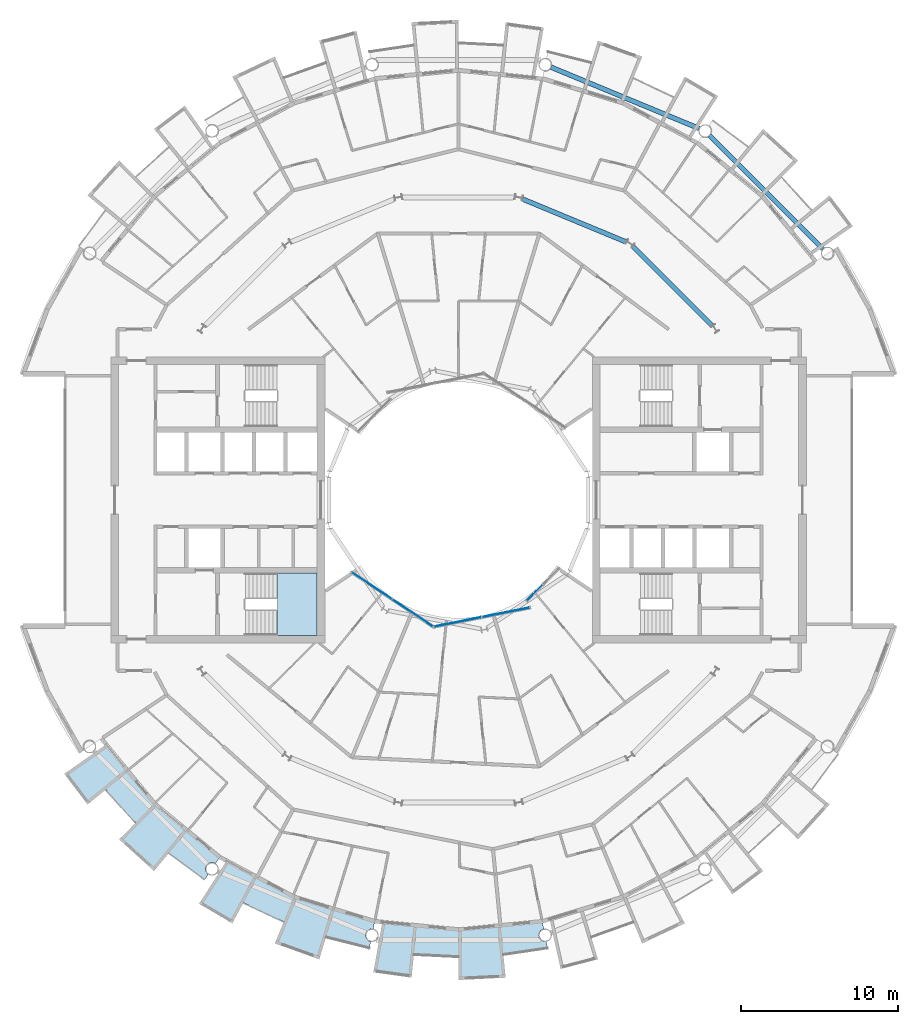
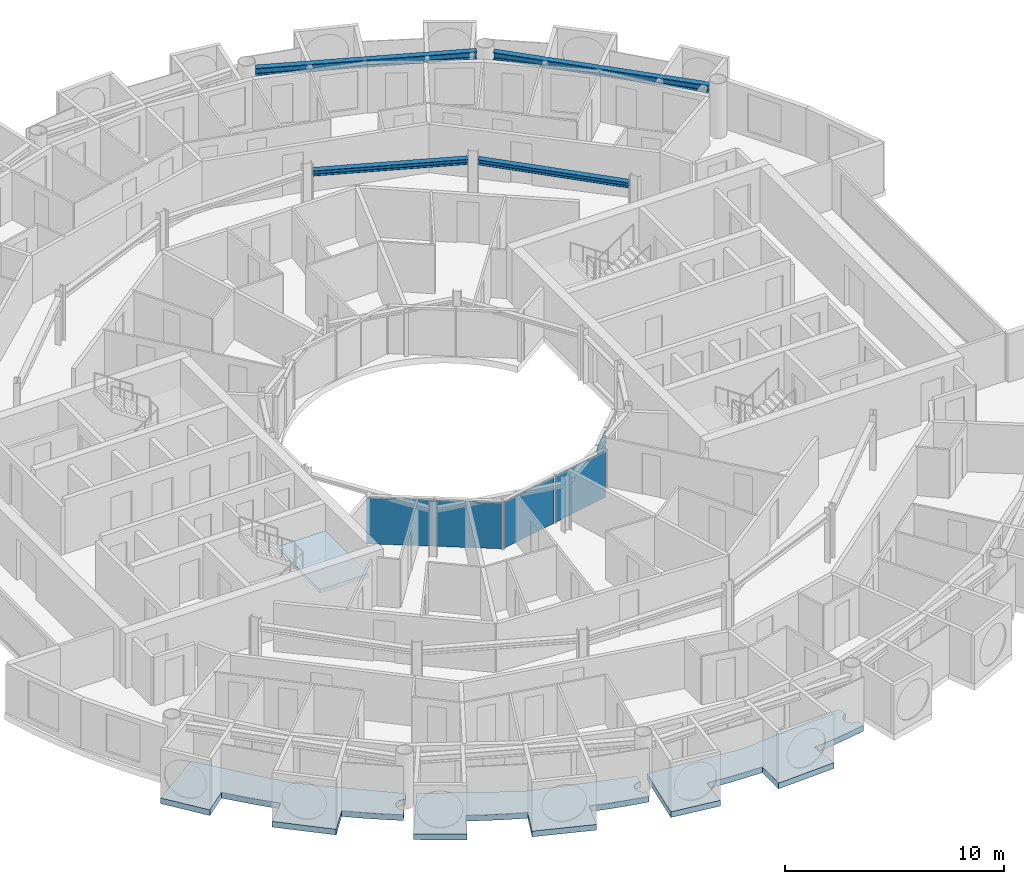
# One storey, part 10 of 27: 5 plates, 4 beams, 4 slabs, 4 elements without a shape of their own.
"""IFC4 building model written with IfcOpenShell, lengths in metres."""

from ifc_helpers import new_model, si_unit, direction, frame, origin, origin_2d, place, context, subcontext, project, spatial, polyline, rectangle, i_section, outline, extrude, material, layer, layer_set, material_profile, profile_set, type_object, element, aggregate, save


model = new_model("IFC4")

# Units and contexts
model_context = context("Model", 3, precision=1e-05, world=origin(), true_north=direction((0.0, 1.0)))
body_context = subcontext(model_context, "Body", "Model", "MODEL_VIEW")
ifc_project = project(units=[si_unit("LENGTHUNIT", "METRE"), si_unit("AREAUNIT", "SQUARE_METRE"), si_unit("VOLUMEUNIT", "CUBIC_METRE"), si_unit("PLANEANGLEUNIT", "RADIAN"), si_unit("MASSUNIT", "GRAM", prefix="KILO")], contexts=[model_context])

# Site, building, storey
site_placement = place(None, origin())
site = spatial("IfcSite", under=ifc_project, at=site_placement, CompositionType="ELEMENT")
building_placement = place(site_placement, origin())
building = spatial("IfcBuilding", under=site, at=building_placement, Name="Maasbend Ring Residences", CompositionType="ELEMENT")
storey_placement = place(building_placement, frame((0.0, 0.0, 151.300048828125)))
storey = spatial("IfcBuildingStorey", under=building, at=storey_placement, Name="L43", CompositionType="ELEMENT", Elevation=151.300048828125)

# Beams
ifc_material_1 = material(Name="Steel S355J2", Category="steel")
ifc_material_profile_1 = material_profile(ifc_material_1, i_section(OverallWidth=0.300048828125, OverallDepth=0.2900390625, WebThickness=0.008544921875, FlangeThickness=0.013916015625, FilletRadius=0.027099609375, at=origin_2d()), Name="HEA 300")
ifc_profile_set_1 = profile_set([ifc_material_profile_1], Name="Steel S355J2")
beam_type_1 = type_object("IfcBeamType", Name="Corridor ring beam HEA 300", PredefinedType="BEAM", material=ifc_profile_set_1)
for number, where, z_axis, x_axis, name in (
    (1, (16.11669921875, 11.0693359375, 2.554931640625), (-0.707106781187, 0.707106781187, 0.0), (-0.707106781187, -0.707106781187, 0.0), "Corridor ring beam"),
    (2, (10.65380859375, 16.394287109375, 2.554931640625), (-0.923871339849, 0.382703210602, 0.0), (-0.382703210602, -0.923871339849, 0.0), "Corridor ring beam"),
):
    element("IfcBeam", number, at=place(storey_placement, frame(where, z_axis=z_axis, x_axis=x_axis)), inside=storey, type_object=beam_type_1, Name=name, PredefinedType="BEAM", context=body_context, shape_type="SweptSolid", body=[
        extrude(i_section(OverallWidth=0.300048828125, OverallDepth=0.2900390625, WebThickness=0.008544921875, FlangeThickness=0.013916015625, FilletRadius=0.027099609375, at=origin_2d()), origin(), (0.0, 0.0, 1.0), 7.137939453125),
    ])
ifc_material_2 = material(Name="Steel S355J2", Category="steel")
ifc_material_profile_2 = material_profile(ifc_material_2, i_section(OverallWidth=0.300048828125, OverallDepth=0.39990234375, WebThickness=0.013427734375, FlangeThickness=0.02392578125, FilletRadius=0.027099609375, at=origin_2d()), Name="HEB 400")
ifc_profile_set_2 = profile_set([ifc_material_profile_2], Name="Steel S355J2")
beam_type_2 = type_object("IfcBeamType", Name="Spandrel ring beam HEB 400", PredefinedType="SPANDREL", material=ifc_profile_set_2)
for number, where, z_axis, x_axis, name in (
    (3, (23.159912109375, 15.95458984375, 2.5), (-0.707106781187, 0.707106781187, 0.0), (-0.707106781187, -0.707106781187, 0.0), "Spandrel ring beam"),
    (4, (15.29150390625, 23.60302734375, 2.5), (-0.923883676188, 0.382673428492, 0.0), (-0.382673428492, -0.923883676188, 0.0), "Spandrel ring beam"),
):
    element("IfcBeam", number, at=place(storey_placement, frame(where, z_axis=z_axis, x_axis=x_axis)), inside=storey, type_object=beam_type_2, Name=name, PredefinedType="SPANDREL", context=body_context, shape_type="SweptSolid", body=[
        extrude(i_section(OverallWidth=0.300048828125, OverallDepth=0.39990234375, WebThickness=0.013427734375, FlangeThickness=0.02392578125, FilletRadius=0.027099609375, at=origin_2d()), origin(), (0.0, 0.0, 1.0), 10.18994140625),
    ])

# Stair, slab
ifc_material_3 = material(Name="Concrete C40/50", Category="concrete")
stair_type = type_object("IfcStairType", Name="CORE STAIR 18 RISERS", PredefinedType="HALF_TURN_STAIR", material=ifc_material_3)
stair_placement = place(storey_placement, origin())
stair = element("IfcStair", 5, at=stair_placement, inside=storey, type_object=stair_type, Name="L43 Exit stair ST-W1", PredefinedType="HALF_TURN_STAIR")
ifc_material_4 = material(Name="Concrete C40/50", Category="concrete")
ifc_layer_1 = layer(ifc_material_4, 0.199951171875)
ifc_layer_set_1 = layer_set([ifc_layer_1], Name="Concrete C40/50")
slab_type_1 = type_object("IfcSlabType", Name="CORE STAIR LANDING 200", PredefinedType="LANDING", material=ifc_layer_set_1)
slab_1_placement = place(storey_placement, frame((0.0, 0.0, 1.324951171875)))
slab_1 = element("IfcSlab", 6, at=slab_1_placement, type_object=slab_type_1, Name="ST-W1 landing 1", PredefinedType="LANDING", context=body_context, shape_type="SweptSolid", body=[
    extrude(outline(polyline([(-11.550048828125, -8.60009765625), (-9.0, -8.60009765625), (-9.0, -4.64990234375), (-11.550048828125, -4.64990234375), (-11.550048828125, -8.60009765625)])), origin(), (0.0, 0.0, 1.0), 0.199951171875),
])
aggregate(stair, [slab_1])

# Curtain wall, plates
ifc_material_5 = material(Name="Aluminium and clear glass", Category="aluminium")
ifc_layer_2 = layer(ifc_material_5, 0.179931640625)
ifc_layer_set_2 = layer_set([ifc_layer_2], Name="CW-W")
curtain_wall_type = type_object("IfcCurtainWallType", Name="CW-W", PredefinedType="NOTDEFINED", material=ifc_layer_set_2)
curtain_wall_1_placement = place(storey_placement, origin())
curtain_wall_1 = element("IfcCurtainWall", 7, at=curtain_wall_1_placement, inside=storey, type_object=curtain_wall_type, Name="Well curtain wall S1", PredefinedType="NOTDEFINED")
ifc_material_6 = material(Name="Glass clear laminated", Category="glass")
ifc_layer_3 = layer(ifc_material_6, 0.031982421875)
ifc_layer_set_3 = layer_set([ifc_layer_3], Name="CWP-W")
plate_type = type_object("IfcPlateType", Name="CWP-W", PredefinedType="CURTAIN_PANEL", material=ifc_layer_set_3)
plate_1_placement = place(storey_placement, frame((-5.51123046875, -5.44580078125, 0.0), z_axis=(0.0, 0.0, 1.0), x_axis=(0.831469612303, -0.55557023302, 0.0)))
plate_1 = element("IfcPlate", 8, at=plate_1_placement, type_object=plate_type, Name="Glass panel well face", PredefinedType="CURTAIN_PANEL", context=body_context, shape_type="SweptSolid", body=[
    extrude(rectangle(XDim=3.053955078125, YDim=0.031982421875, at=origin_2d()), origin(), (0.0, 0.0, 1.0), 2.580078125),
])
plate_2_placement = place(storey_placement, frame((-2.922119140625, -7.17578125, 0.0), z_axis=(0.0, 0.0, 1.0), x_axis=(0.831469612303, -0.55557023302, 0.0)))
plate_2 = element("IfcPlate", 9, at=plate_2_placement, type_object=plate_type, Name="Glass panel well face", PredefinedType="CURTAIN_PANEL", context=body_context, shape_type="SweptSolid", body=[
    extrude(rectangle(XDim=3.053955078125, YDim=0.031982421875, at=origin_2d()), origin(), (0.0, 0.0, 1.0), 2.580078125),
])
aggregate(curtain_wall_1, [plate_1, plate_2])

curtain_wall_2_placement = place(storey_placement, origin())
curtain_wall_2 = element("IfcCurtainWall", 10, at=curtain_wall_2_placement, inside=storey, type_object=curtain_wall_type, Name="Well curtain wall S2", PredefinedType="NOTDEFINED")
plate_3_placement = place(storey_placement, frame((-0.04638671875, -7.747802734375, 0.0), z_axis=(0.0, 0.0, 1.0), x_axis=(0.980785280403, 0.195090322016, 0.0)))
plate_3 = element("IfcPlate", 11, at=plate_3_placement, type_object=plate_type, Name="Glass panel well face", PredefinedType="CURTAIN_PANEL", context=body_context, shape_type="SweptSolid", body=[
    extrude(rectangle(XDim=3.053955078125, YDim=0.031982421875, at=origin_2d()), origin(), (0.0, 0.0, 1.0), 2.580078125),
])
plate_4_placement = place(storey_placement, frame((3.0078125, -7.140380859375, 0.0), z_axis=(0.0, 0.0, 1.0), x_axis=(0.980785280403, 0.195090322016, 0.0)))
plate_4 = element("IfcPlate", 12, at=plate_4_placement, type_object=plate_type, Name="Glass panel well face", PredefinedType="CURTAIN_PANEL", context=body_context, shape_type="SweptSolid", body=[
    extrude(rectangle(XDim=3.053955078125, YDim=0.031982421875, at=origin_2d()), origin(), (0.0, 0.0, 1.0), 2.580078125),
])
aggregate(curtain_wall_2, [plate_3, plate_4])

# Curtain wall, plate
curtain_wall_3_placement = place(storey_placement, origin())
curtain_wall_3 = element("IfcCurtainWall", 13, at=curtain_wall_3_placement, inside=storey, type_object=curtain_wall_type, Name="Well curtain wall S3", PredefinedType="NOTDEFINED")
plate_5_placement = place(storey_placement, frame((4.84375, -5.89013671875, 0.0), z_axis=(0.0, 0.0, 1.0), x_axis=(0.707106781187, 0.707106781187, 0.0)))
plate_5 = element("IfcPlate", 14, at=plate_5_placement, type_object=plate_type, Name="Glass panel well face", PredefinedType="CURTAIN_PANEL", context=body_context, shape_type="SweptSolid", body=[
    extrude(rectangle(XDim=1.419677734375, YDim=0.031982421875, at=origin_2d()), origin(), (0.0, 0.0, 1.0), 2.580078125),
])
aggregate(curtain_wall_3, [plate_5])

# Slabs
ifc_material_7 = material(Name="Concrete C40/50", Category="concrete")
ifc_layer_4 = layer(ifc_material_7, 0.199951171875)
ifc_layer_set_4 = layer_set([ifc_layer_4], Name="Concrete C40/50")
slab_type_2 = type_object("IfcSlabType", Name="SL-LOGGIA", PredefinedType="FLOOR", material=ifc_layer_set_4)
slab_2_placement = place(storey_placement, frame((0.0, 0.0, -0.35009765625)))
element("IfcSlab", 15, at=slab_2_placement, inside=storey, type_object=slab_type_2, Name="Loggia floor 2", PredefinedType="FLOOR", context=body_context, shape_type="SweptSolid", body=[
    extrude(outline(polyline([(-12.806884765625, -23.9609375), (-10.447021484375, -25.221923828125), (-10.447021484375, -25.221923828125), (-10.447021484375, -25.221923828125), (-7.886962890625, -25.9990234375), (-5.325927734375, -26.77490234375), (-5.325927734375, -26.77490234375), (-5.325927734375, -26.77490234375), (-5.422119140625, -27.259033203125), (-5.431884765625, -27.258056640625), (-5.44189453125, -27.256103515625), (-5.451904296875, -27.2548828125), (-5.4619140625, -27.25390625), (-5.471923828125, -27.2529296875), (-5.48193359375, -27.251953125), (-5.491943359375, -27.251953125), (-5.501953125, -27.251953125), (-5.510986328125, -27.251953125), (-5.52099609375, -27.251953125), (-5.531005859375, -27.2529296875), (-5.541015625, -27.25390625), (-5.551025390625, -27.2548828125), (-5.56103515625, -27.256103515625), (-5.571044921875, -27.258056640625), (-5.5810546875, -27.259033203125), (-5.591064453125, -27.260986328125), (-5.60009765625, -27.263916015625), (-5.610107421875, -27.26611328125), (-5.6201171875, -27.26904296875), (-5.62890625, -27.27197265625), (-5.637939453125, -27.27490234375), (-5.64794921875, -27.279052734375), (-5.656982421875, -27.282958984375), (-5.666015625, -27.285888671875), (-5.675048828125, -27.291015625), (-5.68408203125, -27.294921875), (-5.693115234375, -27.300048828125), (-5.701904296875, -27.303955078125), (-5.7099609375, -27.30908203125), (-5.718994140625, -27.31494140625), (-5.72705078125, -27.320068359375), (-5.736083984375, -27.325927734375), (-5.743896484375, -27.33203125), (-5.751953125, -27.337890625), (-5.759033203125, -27.343994140625), (-5.76708984375, -27.35009765625), (-5.77392578125, -27.35693359375), (-5.781982421875, -27.364013671875), (-5.7890625, -27.37109375), (-5.7958984375, -27.3779296875), (-5.802978515625, -27.385009765625), (-5.80908203125, -27.39306640625), (-5.81591796875, -27.39990234375), (-5.822021484375, -27.407958984375), (-5.827880859375, -27.416015625), (-5.833984375, -27.424072265625), (-5.839111328125, -27.431884765625), (-5.844970703125, -27.44091796875), (-5.85009765625, -27.448974609375), (-5.85498046875, -27.4580078125), (-5.860107421875, -27.466064453125), (-5.864990234375, -27.47509765625), (-5.868896484375, -27.48388671875), (-5.873046875, -27.492919921875), (-5.876953125, -27.5029296875), (-5.881103515625, -27.511962890625), (-5.884033203125, -27.52099609375), (-5.886962890625, -27.531005859375), (-5.889892578125, -27.5400390625), (-5.89306640625, -27.550048828125), (-5.89599609375, -27.55908203125), (-5.89794921875, -27.569091796875), (-5.89990234375, -27.5791015625), (-5.902099609375, -27.589111328125), (-5.904052734375, -27.597900390625), (-5.905029296875, -27.60791015625), (-5.906005859375, -27.617919921875), (-5.906982421875, -27.6279296875), (-5.907958984375, -27.637939453125), (-5.907958984375, -27.64794921875), (-5.907958984375, -27.657958984375), (-5.907958984375, -27.66796875), (-5.907958984375, -27.677978515625), (-5.906982421875, -27.68798828125), (-5.906005859375, -27.697998046875), (-5.905029296875, -27.7080078125), (-5.904052734375, -27.718017578125), (-5.902099609375, -27.72802734375), (-5.89990234375, -27.737060546875), (-5.89794921875, -27.7470703125), (-5.89599609375, -27.757080078125), (-5.89306640625, -27.76708984375), (-5.889892578125, -27.77587890625), (-5.886962890625, -27.785888671875), (-5.884033203125, -27.794921875), (-5.881103515625, -27.803955078125), (-5.876953125, -27.81396484375), (-5.873046875, -27.822998046875), (-5.868896484375, -27.83203125), (-5.864990234375, -27.841064453125), (-5.860107421875, -27.85009765625), (-5.85498046875, -27.85791015625), (-5.85009765625, -27.866943359375), (-5.844970703125, -27.8759765625), (-5.839111328125, -27.884033203125), (-5.833984375, -27.89208984375), (-5.827880859375, -27.89990234375), (-5.822021484375, -27.907958984375), (-5.81591796875, -27.916015625), (-5.80908203125, -27.924072265625), (-5.802978515625, -27.930908203125), (-5.7958984375, -27.93798828125), (-5.7890625, -27.946044921875), (-5.781982421875, -27.952880859375), (-5.77392578125, -27.958984375), (-5.76708984375, -27.966064453125), (-5.759033203125, -27.971923828125), (-5.751953125, -27.97900390625), (-5.743896484375, -27.985107421875), (-5.736083984375, -27.989990234375), (-5.72705078125, -27.99609375), (-5.718994140625, -28.001953125), (-5.7099609375, -28.007080078125), (-5.701904296875, -28.011962890625), (-5.693115234375, -28.01708984375), (-5.68408203125, -28.02099609375), (-5.675048828125, -28.02587890625), (-5.666015625, -28.030029296875), (-5.656982421875, -28.033935546875), (-5.64794921875, -28.037109375), (-5.637939453125, -28.041015625), (-5.62890625, -28.0439453125), (-5.6201171875, -28.047119140625), (-5.610107421875, -28.050048828125), (-5.60009765625, -28.052001953125), (-5.591064453125, -28.054931640625), (-5.5810546875, -28.056884765625), (-5.657958984375, -28.443115234375), (-5.657958984375, -28.443115234375), (-5.657958984375, -28.443115234375), (-6.5849609375, -28.241943359375), (-6.5849609375, -28.241943359375), (-7.506103515625, -28.011962890625), (-7.506103515625, -28.011962890625), (-8.41796875, -27.7509765625), (-8.41796875, -27.7509765625), (-8.41796875, -27.7509765625), (-8.41796875, -27.7509765625), (-8.41796875, -27.7509765625), (-8.41796875, -27.7509765625), (-8.41796875, -27.7509765625), (-8.41796875, -27.7509765625), (-8.41796875, -27.7509765625), (-8.41796875, -27.7509765625), (-8.41796875, -27.751953125), (-8.41796875, -27.751953125), (-8.41796875, -27.751953125), (-8.41796875, -27.751953125), (-8.41796875, -27.751953125), (-8.41796875, -27.751953125), (-8.41796875, -27.751953125), (-8.85400390625, -29.18701171875), (-8.85400390625, -29.18701171875), (-8.85400390625, -29.18701171875), (-11.672119140625, -28.177978515625), (-11.672119140625, -28.177978515625), (-11.672119140625, -28.177978515625), (-11.097900390625, -26.79296875), (-11.097900390625, -26.79296875), (-11.097900390625, -26.79296875), (-11.097900390625, -26.79296875), (-11.097900390625, -26.79296875), (-11.097900390625, -26.79296875), (-11.097900390625, -26.79296875), (-11.097900390625, -26.79296875), (-11.097900390625, -26.79296875), (-11.097900390625, -26.79296875), (-11.097900390625, -26.7919921875), (-11.097900390625, -26.7919921875), (-11.097900390625, -26.7919921875), (-11.097900390625, -26.7919921875), (-11.097900390625, -26.7919921875), (-11.097900390625, -26.7919921875), (-11.097900390625, -26.7919921875), (-11.968994140625, -26.4150390625), (-11.968994140625, -26.4150390625), (-12.825927734375, -26.009033203125), (-12.825927734375, -26.009033203125), (-13.669921875, -25.575927734375), (-13.669921875, -25.575927734375), (-13.669921875, -25.575927734375), (-13.669921875, -25.575927734375), (-13.669921875, -25.575927734375), (-13.669921875, -25.575927734375), (-13.669921875, -25.575927734375), (-13.669921875, -25.575927734375), (-13.669921875, -25.575927734375), (-13.669921875, -25.575927734375), (-13.6708984375, -25.575927734375), (-13.6708984375, -25.575927734375), (-13.6708984375, -25.575927734375), (-13.6708984375, -25.575927734375), (-13.6708984375, -25.575927734375), (-13.6708984375, -25.575927734375), (-13.6708984375, -25.575927734375), (-14.3779296875, -26.89892578125), (-14.3779296875, -26.89892578125), (-14.3779296875, -26.89892578125), (-16.487060546875, -25.659912109375), (-16.487060546875, -25.659912109375), (-16.487060546875, -25.659912109375), (-14.73291015625, -22.930908203125), (-14.73291015625, -22.930908203125), (-14.73291015625, -22.930908203125), (-12.806884765625, -23.9609375)])), origin(), (0.0, 0.0, 1.0), 0.320068359375),
])
slab_3_placement = place(storey_placement, frame((0.0, 0.0, -0.35009765625)))
element("IfcSlab", 16, at=slab_3_placement, inside=storey, type_object=slab_type_2, Name="Loggia floor 3", PredefinedType="FLOOR", context=body_context, shape_type="SweptSolid", body=[
    extrude(outline(polyline([(-2.6630859375, -27.0380859375), (0.0, -27.300048828125), (0.0, -27.300048828125), (0.0, -27.300048828125), (2.6630859375, -27.0380859375), (5.325927734375, -26.77490234375), (5.325927734375, -26.77490234375), (5.325927734375, -26.77490234375), (5.422119140625, -27.259033203125), (5.422119140625, -27.259033203125), (5.412109375, -27.260986328125), (5.403076171875, -27.263916015625), (5.39306640625, -27.26611328125), (5.383056640625, -27.26904296875), (5.3740234375, -27.27197265625), (5.364990234375, -27.27490234375), (5.35498046875, -27.279052734375), (5.345947265625, -27.282958984375), (5.3369140625, -27.285888671875), (5.327880859375, -27.291015625), (5.319091796875, -27.294921875), (5.31005859375, -27.300048828125), (5.301025390625, -27.303955078125), (5.29296875, -27.30908203125), (5.283935546875, -27.31494140625), (5.27587890625, -27.320068359375), (5.26708984375, -27.325927734375), (5.259033203125, -27.33203125), (5.2509765625, -27.337890625), (5.243896484375, -27.343994140625), (5.236083984375, -27.35009765625), (5.22900390625, -27.35693359375), (5.220947265625, -27.364013671875), (5.214111328125, -27.37109375), (5.20703125, -27.3779296875), (5.199951171875, -27.385009765625), (5.194091796875, -27.39306640625), (5.18701171875, -27.39990234375), (5.180908203125, -27.407958984375), (5.175048828125, -27.416015625), (5.1689453125, -27.424072265625), (5.1640625, -27.431884765625), (5.157958984375, -27.44091796875), (5.153076171875, -27.448974609375), (5.14794921875, -27.4580078125), (5.14306640625, -27.466064453125), (5.137939453125, -27.47509765625), (5.134033203125, -27.48388671875), (5.1298828125, -27.492919921875), (5.1259765625, -27.5029296875), (5.1220703125, -27.511962890625), (5.118896484375, -27.52099609375), (5.115966796875, -27.531005859375), (5.113037109375, -27.5400390625), (5.110107421875, -27.550048828125), (5.10693359375, -27.55908203125), (5.10498046875, -27.569091796875), (5.10302734375, -27.5791015625), (5.10107421875, -27.589111328125), (5.09912109375, -27.597900390625), (5.097900390625, -27.60791015625), (5.096923828125, -27.617919921875), (5.095947265625, -27.6279296875), (5.094970703125, -27.637939453125), (5.094970703125, -27.64794921875), (5.094970703125, -27.657958984375), (5.094970703125, -27.66796875), (5.094970703125, -27.677978515625), (5.095947265625, -27.68798828125), (5.096923828125, -27.697998046875), (5.097900390625, -27.7080078125), (5.09912109375, -27.718017578125), (5.10107421875, -27.72802734375), (5.10302734375, -27.737060546875), (5.10498046875, -27.7470703125), (5.10693359375, -27.757080078125), (5.110107421875, -27.76708984375), (5.113037109375, -27.77587890625), (5.115966796875, -27.785888671875), (5.118896484375, -27.794921875), (5.1220703125, -27.803955078125), (5.1259765625, -27.81396484375), (5.1298828125, -27.822998046875), (5.134033203125, -27.83203125), (5.137939453125, -27.841064453125), (5.14306640625, -27.85009765625), (5.14794921875, -27.85791015625), (5.153076171875, -27.866943359375), (5.157958984375, -27.8759765625), (5.1640625, -27.884033203125), (5.1689453125, -27.89208984375), (5.175048828125, -27.89990234375), (5.180908203125, -27.907958984375), (5.18701171875, -27.916015625), (5.194091796875, -27.924072265625), (5.199951171875, -27.930908203125), (5.20703125, -27.93798828125), (5.214111328125, -27.946044921875), (5.220947265625, -27.952880859375), (5.22900390625, -27.958984375), (5.236083984375, -27.966064453125), (5.243896484375, -27.971923828125), (5.2509765625, -27.97900390625), (5.259033203125, -27.985107421875), (5.26708984375, -27.989990234375), (5.27587890625, -27.99609375), (5.283935546875, -28.001953125), (5.29296875, -28.007080078125), (5.301025390625, -28.011962890625), (5.31005859375, -28.01708984375), (5.319091796875, -28.02099609375), (5.327880859375, -28.02587890625), (5.3369140625, -28.030029296875), (5.345947265625, -28.033935546875), (5.35498046875, -28.037109375), (5.364990234375, -28.041015625), (5.3740234375, -28.0439453125), (5.383056640625, -28.047119140625), (5.39306640625, -28.050048828125), (5.403076171875, -28.052001953125), (5.412109375, -28.054931640625), (5.422119140625, -28.056884765625), (5.431884765625, -28.05908203125), (5.44189453125, -28.06005859375), (5.451904296875, -28.06201171875), (5.4619140625, -28.06298828125), (5.471923828125, -28.06298828125), (5.48193359375, -28.06396484375), (5.491943359375, -28.06396484375), (5.501953125, -28.06494140625), (5.510986328125, -28.06396484375), (5.52099609375, -28.06396484375), (5.531005859375, -28.06298828125), (5.541015625, -28.06298828125), (5.551025390625, -28.06201171875), (5.56103515625, -28.06005859375), (5.571044921875, -28.05908203125), (5.5810546875, -28.056884765625), (5.5810546875, -28.056884765625), (5.657958984375, -28.443115234375), (5.657958984375, -28.443115234375), (5.657958984375, -28.443115234375), (4.72412109375, -28.613037109375), (4.72412109375, -28.613037109375), (3.784912109375, -28.751953125), (3.784912109375, -28.751953125), (2.843017578125, -28.860107421875), (2.843017578125, -28.860107421875), (2.843017578125, -28.860107421875), (2.843017578125, -28.860107421875), (2.843017578125, -28.860107421875), (2.843017578125, -28.860107421875), (2.843017578125, -28.860107421875), (2.843017578125, -28.860107421875), (2.843017578125, -28.860107421875), (2.843017578125, -28.861083984375), (2.843017578125, -28.861083984375), (2.843017578125, -28.861083984375), (2.843017578125, -28.861083984375), (2.843017578125, -28.861083984375), (2.843017578125, -28.861083984375), (2.843017578125, -28.861083984375), (2.843017578125, -28.861083984375), (2.989990234375, -30.35302734375), (2.989990234375, -30.35302734375), (2.989990234375, -30.35302734375), (0.0, -30.5), (0.0, -30.5), (0.0, -30.5), (0.0, -29.0), (0.0, -29.0), (0.0, -29.0), (0.0, -29.0), (0.0, -29.0), (0.0, -29.0), (0.0, -29.0), (0.0, -29.0), (0.0, -29.0), (0.0, -29.0), (0.0, -29.0), (0.0, -29.0), (0.0, -29.0), (0.0, -29.0), (0.0, -29.0), (0.0, -29.0), (0.0, -29.0), (-0.948974609375, -28.98388671875), (-0.948974609375, -28.98388671875), (-1.89697265625, -28.93798828125), (-1.89697265625, -28.93798828125), (-2.842041015625, -28.860107421875), (-2.842041015625, -28.860107421875), (-2.842041015625, -28.860107421875), (-2.842041015625, -28.860107421875), (-2.842041015625, -28.860107421875), (-2.842041015625, -28.860107421875), (-2.842041015625, -28.860107421875), (-2.842041015625, -28.860107421875), (-2.842041015625, -28.861083984375), (-2.842041015625, -28.861083984375), (-2.842041015625, -28.861083984375), (-2.842041015625, -28.861083984375), (-2.842041015625, -28.861083984375), (-2.843017578125, -28.861083984375), (-2.843017578125, -28.861083984375), (-2.843017578125, -28.861083984375), (-2.843017578125, -28.861083984375), (-2.989990234375, -30.35302734375), (-2.989990234375, -30.35302734375), (-2.989990234375, -30.35302734375), (-5.412109375, -30.01611328125), (-5.412109375, -30.01611328125), (-5.412109375, -30.01611328125), (-4.8359375, -26.823974609375), (-4.8359375, -26.823974609375), (-4.8359375, -26.823974609375), (-2.6630859375, -27.0380859375)])), origin(), (0.0, 0.0, 1.0), 0.320068359375),
])
slab_4_placement = place(storey_placement, frame((0.0, 0.0, -0.35009765625)))
element("IfcSlab", 17, at=slab_4_placement, inside=storey, type_object=slab_type_2, Name="Loggia floor 5", PredefinedType="FLOOR", context=body_context, shape_type="SweptSolid", body=[
    extrude(outline(polyline([(-21.001953125, -17.236083984375), (-19.303955078125, -19.303955078125), (-19.303955078125, -19.303955078125), (-19.303955078125, -19.303955078125), (-17.236083984375, -21.001953125), (-15.1669921875, -22.698974609375), (-15.1669921875, -22.698974609375), (-15.1669921875, -22.698974609375), (-15.44091796875, -23.10888671875), (-15.44091796875, -23.10888671875), (-15.449951171875, -23.10400390625), (-15.4580078125, -23.09912109375), (-15.467041015625, -23.093994140625), (-15.47509765625, -23.089111328125), (-15.48388671875, -23.083984375), (-15.492919921875, -23.080078125), (-15.501953125, -23.075927734375), (-15.511962890625, -23.072021484375), (-15.52099609375, -23.068115234375), (-15.530029296875, -23.06494140625), (-15.5400390625, -23.06103515625), (-15.549072265625, -23.05810546875), (-15.55908203125, -23.055908203125), (-15.568115234375, -23.052978515625), (-15.577880859375, -23.051025390625), (-15.587890625, -23.049072265625), (-15.597900390625, -23.047119140625), (-15.60693359375, -23.044921875), (-15.616943359375, -23.0439453125), (-15.626953125, -23.04296875), (-15.636962890625, -23.0419921875), (-15.64697265625, -23.041015625), (-15.656982421875, -23.041015625), (-15.6669921875, -23.041015625), (-15.677001953125, -23.041015625), (-15.68701171875, -23.041015625), (-15.697021484375, -23.0419921875), (-15.70703125, -23.04296875), (-15.717041015625, -23.0439453125), (-15.72705078125, -23.044921875), (-15.737060546875, -23.047119140625), (-15.74609375, -23.049072265625), (-15.756103515625, -23.051025390625), (-15.76611328125, -23.052978515625), (-15.77587890625, -23.055908203125), (-15.784912109375, -23.05810546875), (-15.794921875, -23.06103515625), (-15.803955078125, -23.06494140625), (-15.81298828125, -23.068115234375), (-15.822998046875, -23.072021484375), (-15.83203125, -23.075927734375), (-15.841064453125, -23.080078125), (-15.85009765625, -23.083984375), (-15.85888671875, -23.089111328125), (-15.866943359375, -23.093994140625), (-15.8759765625, -23.09912109375), (-15.885009765625, -23.10400390625), (-15.89306640625, -23.10888671875), (-15.90087890625, -23.114990234375), (-15.908935546875, -23.12109375), (-15.9169921875, -23.126953125), (-15.925048828125, -23.133056640625), (-15.93310546875, -23.139892578125), (-15.93994140625, -23.14599609375), (-15.947021484375, -23.153076171875), (-15.955078125, -23.159912109375), (-15.9619140625, -23.1669921875), (-15.968017578125, -23.174072265625), (-15.97509765625, -23.181884765625), (-15.98095703125, -23.18994140625), (-15.988037109375, -23.197021484375), (-15.993896484375, -23.205078125), (-15.9990234375, -23.212890625), (-16.0048828125, -23.221923828125), (-16.010986328125, -23.22998046875), (-16.01611328125, -23.238037109375), (-16.02099609375, -23.2470703125), (-16.02587890625, -23.256103515625), (-16.030029296875, -23.264892578125), (-16.034912109375, -23.27392578125), (-16.0390625, -23.282958984375), (-16.04296875, -23.2919921875), (-16.0458984375, -23.301025390625), (-16.050048828125, -23.31005859375), (-16.052978515625, -23.320068359375), (-16.055908203125, -23.3291015625), (-16.05908203125, -23.339111328125), (-16.06103515625, -23.34912109375), (-16.06396484375, -23.35791015625), (-16.06591796875, -23.367919921875), (-16.068115234375, -23.3779296875), (-16.069091796875, -23.387939453125), (-16.071044921875, -23.39794921875), (-16.072021484375, -23.407958984375), (-16.072021484375, -23.4169921875), (-16.072998046875, -23.427001953125), (-16.072998046875, -23.43701171875), (-16.073974609375, -23.447021484375), (-16.072998046875, -23.45703125), (-16.072998046875, -23.467041015625), (-16.072021484375, -23.47705078125), (-16.072021484375, -23.487060546875), (-16.071044921875, -23.4970703125), (-16.069091796875, -23.507080078125), (-16.068115234375, -23.51708984375), (-16.06591796875, -23.527099609375), (-16.06396484375, -23.535888671875), (-16.06103515625, -23.5458984375), (-16.05908203125, -23.555908203125), (-16.055908203125, -23.56494140625), (-16.052978515625, -23.574951171875), (-16.050048828125, -23.583984375), (-16.0458984375, -23.593994140625), (-16.04296875, -23.60302734375), (-16.0390625, -23.612060546875), (-16.034912109375, -23.62109375), (-16.030029296875, -23.6298828125), (-16.02587890625, -23.638916015625), (-16.02099609375, -23.64794921875), (-16.01611328125, -23.656005859375), (-16.010986328125, -23.6650390625), (-16.0048828125, -23.673095703125), (-15.9990234375, -23.680908203125), (-15.993896484375, -23.68994140625), (-15.988037109375, -23.697021484375), (-15.98095703125, -23.705078125), (-15.97509765625, -23.712890625), (-15.968017578125, -23.719970703125), (-15.9619140625, -23.72802734375), (-15.955078125, -23.735107421875), (-15.947021484375, -23.741943359375), (-15.93994140625, -23.7490234375), (-15.93310546875, -23.7548828125), (-15.925048828125, -23.761962890625), (-15.9169921875, -23.76806640625), (-15.908935546875, -23.77392578125), (-15.90087890625, -23.780029296875), (-15.89306640625, -23.784912109375), (-15.89306640625, -23.784912109375), (-16.112060546875, -24.113037109375), (-16.112060546875, -24.113037109375), (-16.112060546875, -24.113037109375), (-16.89208984375, -23.572998046875), (-16.89208984375, -23.572998046875), (-17.654052734375, -23.007080078125), (-17.654052734375, -23.007080078125), (-18.39697265625, -22.41796875), (-18.39697265625, -22.41796875), (-18.39697265625, -22.41796875), (-18.39697265625, -22.41796875), (-18.39697265625, -22.41796875), (-18.39697265625, -22.41796875), (-18.39697265625, -22.41796875), (-18.39697265625, -22.41796875), (-18.39697265625, -22.41796875), (-18.39697265625, -22.41796875), (-18.39697265625, -22.41796875), (-18.39794921875, -22.41796875), (-18.39794921875, -22.41796875), (-18.39794921875, -22.41796875), (-18.39794921875, -22.41796875), (-18.39794921875, -22.41796875), (-18.39794921875, -22.41796875), (-19.34912109375, -23.576904296875), (-19.34912109375, -23.576904296875), (-19.34912109375, -23.576904296875), (-21.56689453125, -21.56689453125), (-21.56689453125, -21.56689453125), (-21.56689453125, -21.56689453125), (-20.506103515625, -20.506103515625), (-20.506103515625, -20.506103515625), (-20.506103515625, -20.506103515625), (-20.506103515625, -20.506103515625), (-20.506103515625, -20.506103515625), (-20.506103515625, -20.506103515625), (-20.506103515625, -20.506103515625), (-20.506103515625, -20.506103515625), (-20.506103515625, -20.506103515625), (-20.506103515625, -20.506103515625), (-20.506103515625, -20.506103515625), (-20.506103515625, -20.506103515625), (-20.506103515625, -20.506103515625), (-20.506103515625, -20.506103515625), (-20.506103515625, -20.506103515625), (-20.506103515625, -20.506103515625), (-20.506103515625, -20.506103515625), (-21.166015625, -19.823974609375), (-21.166015625, -19.823974609375), (-21.802978515625, -19.12109375), (-21.802978515625, -19.12109375), (-22.4169921875, -18.39794921875), (-22.4169921875, -18.39794921875), (-22.4169921875, -18.39794921875), (-22.4169921875, -18.39794921875), (-22.4169921875, -18.39794921875), (-22.4169921875, -18.39794921875), (-22.4169921875, -18.39794921875), (-22.4169921875, -18.39794921875), (-22.4169921875, -18.39794921875), (-22.4169921875, -18.39794921875), (-22.4169921875, -18.39794921875), (-22.4169921875, -18.39794921875), (-22.41796875, -18.39794921875), (-22.41796875, -18.39794921875), (-22.41796875, -18.39794921875), (-22.41796875, -18.39794921875), (-22.41796875, -18.39794921875), (-23.576904296875, -19.34912109375), (-23.576904296875, -19.34912109375), (-23.576904296875, -19.34912109375), (-25.051025390625, -17.39794921875), (-25.051025390625, -17.39794921875), (-25.051025390625, -17.39794921875), (-22.386962890625, -15.547119140625), (-22.386962890625, -15.547119140625), (-22.386962890625, -15.547119140625), (-21.001953125, -17.236083984375)])), origin(), (0.0, 0.0, 1.0), 0.320068359375),
])

save(model, "model.ifc")
